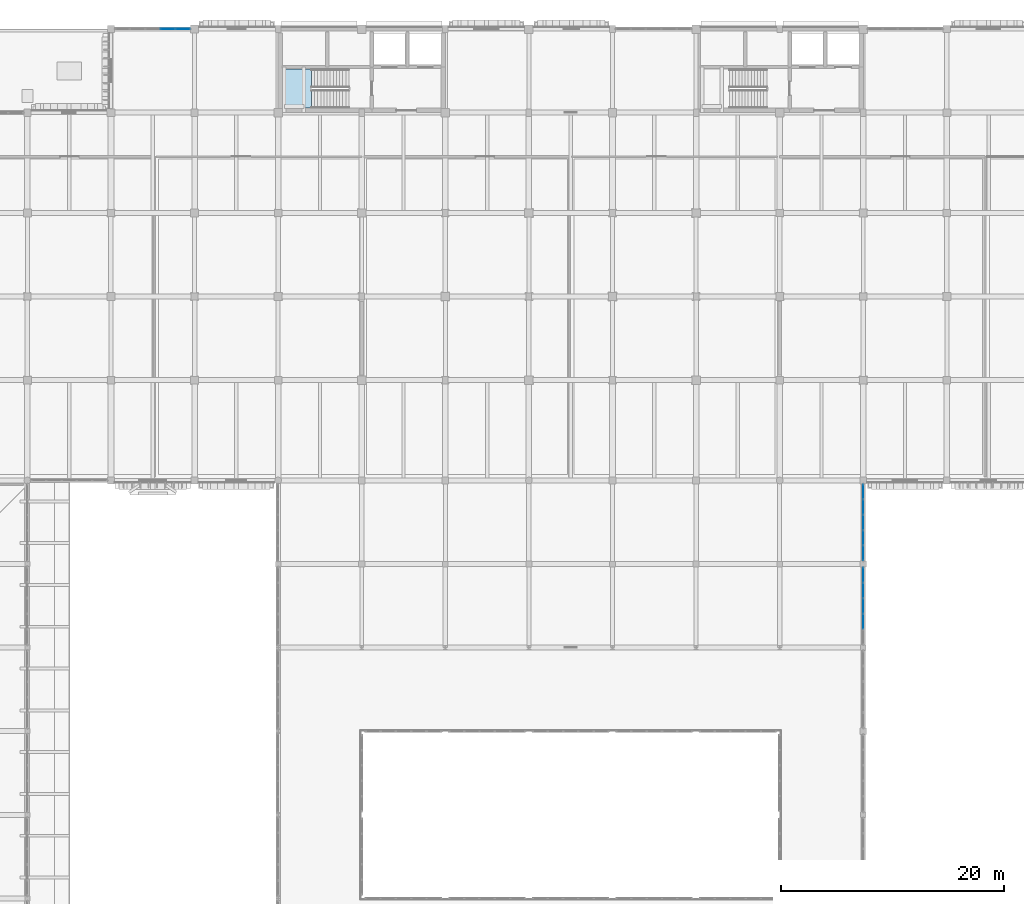
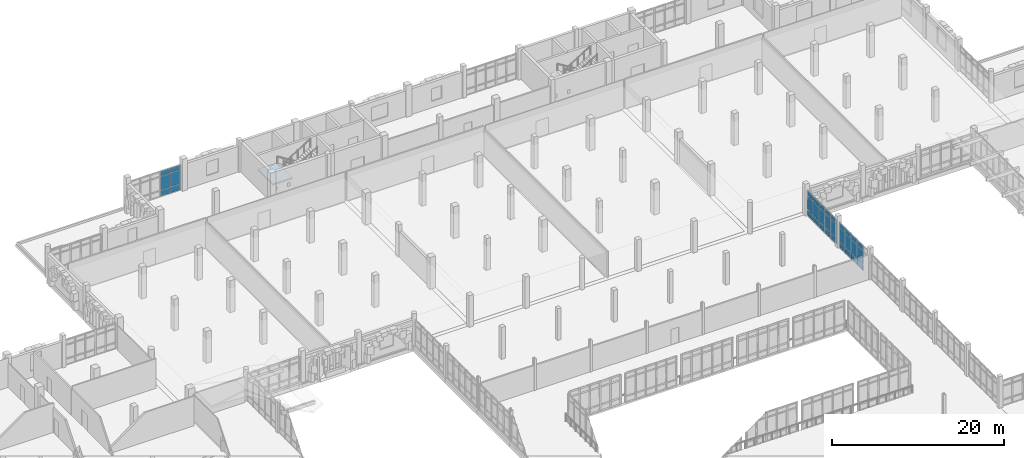
# One storey, part 84 of 128: 33 plates, 1 slab, 4 elements without a shape of their own.
"""IFC4 building model written with IfcOpenShell, lengths in metres."""

import ifcopenshell
import ifcopenshell.guid

model = None  # the IFC model being written
_history = None  # IfcOwnerHistory: only IFC2X3 demands one
_inside = {}  # id of a spatial element -> (the spatial element, [elements in it])
_under = {}  # id of a project, library or spatial element -> (it, [spatial elements below it])
_declared = {}  # id of a project -> (the project, [libraries it declares])
_typed = {}  # id of a type object -> (the type object, [elements of that type])
_made_of = {}  # id of a material, layer set ... -> (it, [elements and type objects made of it])


def new_model(schema):
    """Start an empty IFC model of exactly this schema.

    Asked for "IFC4X3", IfcOpenShell would pick the latest addendum, in which some entities
    have other attributes; the version numbers below select the first issue.
    IFC2X3 requires an IfcOwnerHistory on every rooted entity: one is made here for all.
    """
    global model, _history
    if schema == "IFC4X3":
        model = ifcopenshell.file(schema_version=(4, 3, 0, 0))
    else:
        model = ifcopenshell.file(schema=schema)
    _inside.clear()
    _under.clear()
    _declared.clear()
    _typed.clear()
    _made_of.clear()
    _history = None
    if model.schema == "IFC2X3":
        org = make("IfcOrganization", Name="unknown")
        user = make(
            "IfcPersonAndOrganization",
            ThePerson=make("IfcPerson", FamilyName="unknown"),
            TheOrganization=org,
        )
        app = make(
            "IfcApplication",
            ApplicationDeveloper=org,
            Version="unknown",
            ApplicationFullName="unknown",
            ApplicationIdentifier="unknown",
        )
        _history = make(
            "IfcOwnerHistory",
            OwningUser=user,
            OwningApplication=app,
            ChangeAction="ADDED",
            CreationDate=0,
        )
    return model


def make(cls, **values):
    """One entity of the class cls with the attributes given. An attribute that is None is left unset."""
    return model.create_entity(
        cls, **{name: value for name, value in values.items() if value is not None}
    )


def rooted(cls, **values):
    """An entity with a GlobalId (a new one), such as an element, a storey or a relation."""
    return make(cls, GlobalId=ifcopenshell.guid.new(), OwnerHistory=_history, **values)


def si_unit(unit_type, name, prefix=None):
    """IfcSIUnit, for example si_unit("LENGTHUNIT", "METRE", prefix="MILLI")."""
    return make("IfcSIUnit", UnitType=unit_type, Prefix=prefix, Name=name)


def assignment(units):
    """IfcUnitAssignment: the units of a project."""
    return None if units is None else make("IfcUnitAssignment", Units=units)


def point(xyz):
    """IfcCartesianPoint."""
    return None if xyz is None else make("IfcCartesianPoint", Coordinates=xyz)


def direction(xyz):
    """IfcDirection."""
    return None if xyz is None else make("IfcDirection", DirectionRatios=xyz)


def frame(location, z_axis=None, x_axis=None):
    """IfcAxis2Placement3D, a coordinate frame: its origin and axes. An axis left out is left unset."""
    return make(
        "IfcAxis2Placement3D",
        Location=point(location),
        Axis=direction(z_axis),
        RefDirection=direction(x_axis),
    )


def frame_2d(location, x_axis=None):
    """IfcAxis2Placement2D, a coordinate frame in the plane: its origin and x axis."""
    return make(
        "IfcAxis2Placement2D", Location=point(location), RefDirection=direction(x_axis)
    )


def origin():
    """The frame at (0, 0, 0) with its axes left unset."""
    return frame((0.0, 0.0, 0.0))


def origin_2d():
    """The frame at (0, 0) in the plane with its x axis left unset."""
    return frame_2d((0.0, 0.0))


def place(relative_to, where):
    """IfcLocalPlacement: puts the frame where relative to a parent placement (None: the world)."""
    return make(
        "IfcLocalPlacement", PlacementRelTo=relative_to, RelativePlacement=where
    )


def context(
    kind, dimensions, precision=None, world=None, true_north=None, identifier=None
):
    """IfcGeometricRepresentationContext, for example the 3D "Model" context."""
    return make(
        "IfcGeometricRepresentationContext",
        ContextIdentifier=identifier,
        ContextType=kind,
        CoordinateSpaceDimension=dimensions,
        Precision=precision,
        WorldCoordinateSystem=world,
        TrueNorth=true_north,
    )


def subcontext(parent, identifier, kind, view, scale=None):
    """IfcGeometricRepresentationSubContext, for example "Body" below "Model"."""
    return make(
        "IfcGeometricRepresentationSubContext",
        ContextIdentifier=identifier,
        ContextType=kind,
        ParentContext=parent,
        TargetScale=scale,
        TargetView=view,
    )


def project(units=None, contexts=None):
    """IfcProject with its units and contexts."""
    return rooted(
        "IfcProject",
        Name="project",
        RepresentationContexts=contexts,
        UnitsInContext=assignment(units),
    )


def spatial(cls, under=None, at=None, **own):
    """A site, building, storey or space (cls), placed at a placement, below another one or the project."""
    s = rooted(cls, ObjectPlacement=at, **own)
    if under is not None:
        _under.setdefault(under.id(), (under, []))[1].append(s)
    return s


def polyline(points):
    """IfcPolyline through the points."""
    return make("IfcPolyline", Points=[point(p) for p in points])


def profile(cls, at=None, kind="AREA", **sizes):
    """A parametric profile (cls). Its sizes go by their IFC names, for example OverallWidth=200.0."""
    return make(cls, ProfileType=kind, Position=at, **sizes)


def rectangle(**sizes):
    """IfcRectangleProfileDef."""
    return profile("IfcRectangleProfileDef", **sizes)


def outline(outer, holes=None, kind="AREA"):
    """IfcArbitraryClosedProfileDef: a profile drawn as a closed curve; with holes, ...WithVoids."""
    if holes is None:
        return make("IfcArbitraryClosedProfileDef", ProfileType=kind, OuterCurve=outer)
    return make(
        "IfcArbitraryProfileDefWithVoids",
        ProfileType=kind,
        OuterCurve=outer,
        InnerCurves=holes,
    )


def extrude(swept, where, along, depth):
    """IfcExtrudedAreaSolid: the profile swept, set in the frame where, extruded along a direction by depth."""
    return make(
        "IfcExtrudedAreaSolid",
        SweptArea=swept,
        Position=where,
        ExtrudedDirection=direction(along),
        Depth=depth,
    )


def shape(context_of_items, identifier, shape_type, items):
    """IfcShapeRepresentation: the items that make up one representation, for example the "Body"."""
    return make(
        "IfcShapeRepresentation",
        ContextOfItems=context_of_items,
        RepresentationIdentifier=identifier,
        RepresentationType=shape_type,
        Items=items,
    )


def material(Name=None, Category=None):
    """IfcMaterial."""
    return make("IfcMaterial", Name=Name, Category=Category)


def layer(
    of_material, thickness, ventilated=None, Name=None, Category=None, Priority=None
):
    """IfcMaterialLayer: one layer of a wall or slab, of a material (None: an air gap)."""
    return make(
        "IfcMaterialLayer",
        Material=of_material,
        LayerThickness=thickness,
        IsVentilated=ventilated,
        Name=Name,
        Category=Category,
        Priority=Priority,
    )


def layer_set(layers, Name=None):
    """IfcMaterialLayerSet."""
    return make("IfcMaterialLayerSet", MaterialLayers=layers, LayerSetName=Name)


def made_of(thing, what):
    """Note that an element or type object is made of a material, layer set ...; save() writes the relation."""
    if what is not None:
        _made_of.setdefault(what.id(), (what, []))[1].append(thing)
    return thing


def type_object(cls, material=None, **own):
    """A type object (cls), such as IfcWallType, which elements share."""
    return made_of(rooted(cls, **own), material)


def element(
    cls,
    number,
    at=None,
    inside=None,
    cuts=None,
    type_object=None,
    material=None,
    context=None,
    identifier="Body",
    shape_type=None,
    held_by="IfcProductDefinitionShape",
    body=None,
    shapes=None,
    **own,
):
    """One element of the class cls, such as IfcWall. Its Tag is "e" and its number.

    at: its placement. inside: the storey or other place that contains it. cuts: it is an
    opening in that element (IfcRelVoidsElement). A single representation is given by context,
    identifier, shape_type and body (its items); several are given by shapes. held_by: the class
    of the entity that holds the representations. save() writes the other relations.
    """
    e = rooted(cls, Tag="e%d" % number, ObjectPlacement=at, **own)
    if body is not None:
        shapes = [shape(context, identifier, shape_type, body)]
    if shapes is not None:
        e.Representation = make(held_by, Representations=shapes)
    if inside is not None:
        _inside.setdefault(inside.id(), (inside, []))[1].append(e)
    if cuts is not None:
        rooted(
            "IfcRelVoidsElement", RelatingBuildingElement=cuts, RelatedOpeningElement=e
        )
    if type_object is not None:
        _typed.setdefault(type_object.id(), (type_object, []))[1].append(e)
    return made_of(e, material)


def aggregate(whole, parts):
    """IfcRelAggregates: a whole, such as a stair, and the parts it consists of."""
    return rooted("IfcRelAggregates", RelatingObject=whole, RelatedObjects=parts)


def save(model, path):
    """Write the relations noted so far, then the file.

    IfcRelAggregates (storeys below a building ...), IfcRelContainedInSpatialStructure (elements
    in a storey), IfcRelDefinesByType, IfcRelAssociatesMaterial and IfcRelDeclares: one each for
    every whole, place, type object, material and project.
    """
    for whole, parts in _under.values():
        aggregate(whole, parts)
    for where, things in _inside.values():
        rooted(
            "IfcRelContainedInSpatialStructure",
            RelatedElements=things,
            RelatingStructure=where,
        )
    for kind, things in _typed.values():
        rooted("IfcRelDefinesByType", RelatedObjects=things, RelatingType=kind)
    for what, things in _made_of.values():
        rooted("IfcRelAssociatesMaterial", RelatedObjects=things, RelatingMaterial=what)
    for by, libraries in _declared.values():
        rooted("IfcRelDeclares", RelatingContext=by, RelatedDefinitions=libraries)
    model.write(path)


model = new_model("IFC4")

# Units and contexts
model_context = context("Model", 3, precision=1e-05, world=origin(), true_north=direction((0.0, 1.0)))
body_context = subcontext(model_context, "Body", "Model", "MODEL_VIEW")
ifc_project = project(units=[si_unit("LENGTHUNIT", "METRE"), si_unit("AREAUNIT", "SQUARE_METRE"), si_unit("VOLUMEUNIT", "CUBIC_METRE"), si_unit("PLANEANGLEUNIT", "RADIAN"), si_unit("MASSUNIT", "GRAM", prefix="KILO")], contexts=[model_context])

# Site, building, storey
site_placement = place(None, origin())
site = spatial("IfcSite", under=ifc_project, at=site_placement, CompositionType="ELEMENT")
building_placement = place(site_placement, origin())
building = spatial("IfcBuilding", under=site, at=building_placement, Name="Dalvernix Boulevard General Hospital", CompositionType="ELEMENT")
storey_placement = place(building_placement, frame((0.0, 0.0, 4.800048828125)))
storey = spatial("IfcBuildingStorey", under=building, at=storey_placement, Name="L01", CompositionType="ELEMENT", Elevation=4.800048828125)

# Curtain wall, plates
ifc_material_1 = material(Name="Thermally broken aluminium and solar-control glass curtain wall", Category="aluminium")
ifc_layer_1 = layer(ifc_material_1, 0.159912109375)
ifc_layer_set_1 = layer_set([ifc_layer_1], Name="Thermally broken aluminium and solar-control glass curtain wall (CW-CW-A-70x36)")
curtain_wall_type_1 = type_object("IfcCurtainWallType", Name="CW-CW-A-70x36", PredefinedType="USERDEFINED", material=ifc_layer_set_1)
curtain_wall_1_placement = place(storey_placement, origin())
curtain_wall_1 = element("IfcCurtainWall", 1, at=curtain_wall_1_placement, inside=storey, type_object=curtain_wall_type_1, Name="L01 curtain wall CW-A-70x36 15-8", ObjectType="GLAZED FACADE", PredefinedType="USERDEFINED")
ifc_material_2 = material(Name="Double-glazed solar-control low-emissivity glass", Category="glass")
ifc_layer_2 = layer(ifc_material_2, 0.02392578125)
ifc_layer_set_2 = layer_set([ifc_layer_2], Name="Double-glazed solar-control low-emissivity glass (PLT-CW-P1)")
plate_type_1 = type_object("IfcPlateType", Name="PLT-CW-P1", PredefinedType="CURTAIN_PANEL", material=ifc_layer_set_2)
plate_1_placement = place(storey_placement, frame((112.5, 68.00439453125, 0.059814453125), z_axis=(0.0, 0.0, 1.0), x_axis=(0.0, -1.0, 0.0)))
plate_1 = element("IfcPlate", 2, at=plate_1_placement, type_object=plate_type_1, Name="CW-A-70x36 panel 1.1", PredefinedType="CURTAIN_PANEL", context=body_context, shape_type="SweptSolid", body=[
    extrude(rectangle(XDim=1.301025390625, YDim=0.02392578125, at=origin_2d()), origin(), (0.0, 0.0, 1.0), 0.81005859375),
])
plate_2_placement = place(storey_placement, frame((112.5, 68.00439453125, 0.929931640625), z_axis=(0.0, 0.0, 1.0), x_axis=(0.0, -1.0, 0.0)))
plate_2 = element("IfcPlate", 3, at=plate_2_placement, type_object=plate_type_1, Name="CW-A-70x36 panel 1.2", PredefinedType="CURTAIN_PANEL", context=body_context, shape_type="SweptSolid", body=[
    extrude(rectangle(XDim=1.301025390625, YDim=0.02392578125, at=origin_2d()), origin(), (0.0, 0.0, 1.0), 1.919921875),
])
plate_3_placement = place(storey_placement, frame((112.5, 68.00439453125, 2.91015625), z_axis=(0.0, 0.0, 1.0), x_axis=(0.0, -1.0, 0.0)))
plate_3 = element("IfcPlate", 4, at=plate_3_placement, type_object=plate_type_1, Name="CW-A-70x36 panel 1.3", PredefinedType="CURTAIN_PANEL", context=body_context, shape_type="SweptSolid", body=[
    extrude(rectangle(XDim=1.301025390625, YDim=0.02392578125, at=origin_2d()), origin(), (0.0, 0.0, 1.0), 0.659912109375),
])
plate_4_placement = place(storey_placement, frame((112.5, 66.62841796875, 0.059814453125), z_axis=(0.0, 0.0, 1.0), x_axis=(0.0, -1.0, 0.0)))
plate_4 = element("IfcPlate", 5, at=plate_4_placement, type_object=plate_type_1, Name="CW-A-70x36 panel 2.1", PredefinedType="CURTAIN_PANEL", context=body_context, shape_type="SweptSolid", body=[
    extrude(rectangle(XDim=1.3310546875, YDim=0.02392578125, at=origin_2d()), origin(), (0.0, 0.0, 1.0), 0.81005859375),
])
plate_5_placement = place(storey_placement, frame((112.5, 66.62841796875, 0.929931640625), z_axis=(0.0, 0.0, 1.0), x_axis=(0.0, -1.0, 0.0)))
plate_5 = element("IfcPlate", 6, at=plate_5_placement, type_object=plate_type_1, Name="CW-A-70x36 panel 2.2", PredefinedType="CURTAIN_PANEL", context=body_context, shape_type="SweptSolid", body=[
    extrude(rectangle(XDim=1.3310546875, YDim=0.02392578125, at=origin_2d()), origin(), (0.0, 0.0, 1.0), 1.919921875),
])
plate_6_placement = place(storey_placement, frame((112.5, 66.62841796875, 2.91015625), z_axis=(0.0, 0.0, 1.0), x_axis=(0.0, -1.0, 0.0)))
plate_6 = element("IfcPlate", 7, at=plate_6_placement, type_object=plate_type_1, Name="CW-A-70x36 panel 2.3", PredefinedType="CURTAIN_PANEL", context=body_context, shape_type="SweptSolid", body=[
    extrude(rectangle(XDim=1.3310546875, YDim=0.02392578125, at=origin_2d()), origin(), (0.0, 0.0, 1.0), 0.659912109375),
])
plate_7_placement = place(storey_placement, frame((112.5, 65.237548828125, 0.059814453125), z_axis=(0.0, 0.0, 1.0), x_axis=(0.0, -1.0, 0.0)))
plate_7 = element("IfcPlate", 8, at=plate_7_placement, type_object=plate_type_1, Name="CW-A-70x36 panel 3.1", PredefinedType="CURTAIN_PANEL", context=body_context, shape_type="SweptSolid", body=[
    extrude(rectangle(XDim=1.3310546875, YDim=0.02392578125, at=origin_2d()), origin(), (0.0, 0.0, 1.0), 0.81005859375),
])
plate_8_placement = place(storey_placement, frame((112.5, 65.237548828125, 0.929931640625), z_axis=(0.0, 0.0, 1.0), x_axis=(0.0, -1.0, 0.0)))
plate_8 = element("IfcPlate", 9, at=plate_8_placement, type_object=plate_type_1, Name="CW-A-70x36 panel 3.2", PredefinedType="CURTAIN_PANEL", context=body_context, shape_type="SweptSolid", body=[
    extrude(rectangle(XDim=1.3310546875, YDim=0.02392578125, at=origin_2d()), origin(), (0.0, 0.0, 1.0), 1.919921875),
])
plate_9_placement = place(storey_placement, frame((112.5, 65.237548828125, 2.91015625), z_axis=(0.0, 0.0, 1.0), x_axis=(0.0, -1.0, 0.0)))
plate_9 = element("IfcPlate", 10, at=plate_9_placement, type_object=plate_type_1, Name="CW-A-70x36 panel 3.3", PredefinedType="CURTAIN_PANEL", context=body_context, shape_type="SweptSolid", body=[
    extrude(rectangle(XDim=1.3310546875, YDim=0.02392578125, at=origin_2d()), origin(), (0.0, 0.0, 1.0), 0.659912109375),
])
plate_10_placement = place(storey_placement, frame((112.5, 63.846435546875, 0.059814453125), z_axis=(0.0, 0.0, 1.0), x_axis=(0.0, -1.0, 0.0)))
plate_10 = element("IfcPlate", 11, at=plate_10_placement, type_object=plate_type_1, Name="CW-A-70x36 panel 4.1", PredefinedType="CURTAIN_PANEL", context=body_context, shape_type="SweptSolid", body=[
    extrude(rectangle(XDim=1.3310546875, YDim=0.02392578125, at=origin_2d()), origin(), (0.0, 0.0, 1.0), 0.81005859375),
])
plate_11_placement = place(storey_placement, frame((112.5, 63.846435546875, 0.929931640625), z_axis=(0.0, 0.0, 1.0), x_axis=(0.0, -1.0, 0.0)))
plate_11 = element("IfcPlate", 12, at=plate_11_placement, type_object=plate_type_1, Name="CW-A-70x36 panel 4.2", PredefinedType="CURTAIN_PANEL", context=body_context, shape_type="SweptSolid", body=[
    extrude(rectangle(XDim=1.3310546875, YDim=0.02392578125, at=origin_2d()), origin(), (0.0, 0.0, 1.0), 1.919921875),
])
plate_12_placement = place(storey_placement, frame((112.5, 63.846435546875, 2.91015625), z_axis=(0.0, 0.0, 1.0), x_axis=(0.0, -1.0, 0.0)))
plate_12 = element("IfcPlate", 13, at=plate_12_placement, type_object=plate_type_1, Name="CW-A-70x36 panel 4.3", PredefinedType="CURTAIN_PANEL", context=body_context, shape_type="SweptSolid", body=[
    extrude(rectangle(XDim=1.3310546875, YDim=0.02392578125, at=origin_2d()), origin(), (0.0, 0.0, 1.0), 0.659912109375),
])
aggregate(curtain_wall_1, [plate_1, plate_2, plate_3, plate_4, plate_5, plate_6, plate_7, plate_8, plate_9, plate_10, plate_11, plate_12])

ifc_layer_3 = layer(ifc_material_1, 0.179931640625)
ifc_layer_set_3 = layer_set([ifc_layer_3], Name="Thermally broken aluminium and solar-control glass curtain wall (CW-CW-B-68x36)")
curtain_wall_type_2 = type_object("IfcCurtainWallType", Name="CW-CW-B-68x36", PredefinedType="USERDEFINED", material=ifc_layer_set_3)
curtain_wall_2_placement = place(storey_placement, origin())
curtain_wall_2 = element("IfcCurtainWall", 14, at=curtain_wall_2_placement, inside=storey, type_object=curtain_wall_type_2, Name="L01 curtain wall CW-B-68x36 6-15", ObjectType="GLAZED FACADE", PredefinedType="USERDEFINED")
ifc_layer_4 = layer(ifc_material_2, 0.028076171875)
ifc_layer_set_4 = layer_set([ifc_layer_4], Name="Double-glazed solar-control low-emissivity glass (PLT-CW-P2)")
plate_type_2 = type_object("IfcPlateType", Name="PLT-CW-P2", PredefinedType="CURTAIN_PANEL", material=ifc_layer_set_4)
plate_13_placement = place(storey_placement, frame((50.098388671875, 117.0, 0.06494140625), z_axis=(0.0, 0.0, 1.0), x_axis=(1.0, 0.0, 0.0)))
plate_13 = element("IfcPlate", 15, at=plate_13_placement, type_object=plate_type_2, Name="CW-B-68x36 panel 4.1", PredefinedType="CURTAIN_PANEL", context=body_context, shape_type="SweptSolid", body=[
    extrude(rectangle(XDim=1.2958984375, YDim=0.028076171875, at=origin_2d()), origin(), (0.0, 0.0, 1.0), 0.802490234375),
])
plate_14_placement = place(storey_placement, frame((50.098388671875, 117.0, 0.932373046875), z_axis=(0.0, 0.0, 1.0), x_axis=(1.0, 0.0, 0.0)))
plate_14 = element("IfcPlate", 16, at=plate_14_placement, type_object=plate_type_2, Name="CW-B-68x36 panel 4.2", PredefinedType="CURTAIN_PANEL", context=body_context, shape_type="SweptSolid", body=[
    extrude(rectangle(XDim=1.2958984375, YDim=0.028076171875, at=origin_2d()), origin(), (0.0, 0.0, 1.0), 1.9150390625),
])
plate_15_placement = place(storey_placement, frame((50.098388671875, 117.0, 2.91259765625), z_axis=(0.0, 0.0, 1.0), x_axis=(1.0, 0.0, 0.0)))
plate_15 = element("IfcPlate", 17, at=plate_15_placement, type_object=plate_type_2, Name="CW-B-68x36 panel 4.3", PredefinedType="CURTAIN_PANEL", context=body_context, shape_type="SweptSolid", body=[
    extrude(rectangle(XDim=1.2958984375, YDim=0.028076171875, at=origin_2d()), origin(), (0.0, 0.0, 1.0), 0.652587890625),
])
plate_16_placement = place(storey_placement, frame((51.443359375, 117.0, 0.06494140625), z_axis=(0.0, 0.0, 1.0), x_axis=(1.0, 0.0, 0.0)))
plate_16 = element("IfcPlate", 18, at=plate_16_placement, type_object=plate_type_2, Name="CW-B-68x36 panel 5.1", PredefinedType="CURTAIN_PANEL", context=body_context, shape_type="SweptSolid", body=[
    extrude(rectangle(XDim=1.263427734375, YDim=0.028076171875, at=origin_2d()), origin(), (0.0, 0.0, 1.0), 0.802490234375),
])
plate_17_placement = place(storey_placement, frame((51.443359375, 117.0, 0.932373046875), z_axis=(0.0, 0.0, 1.0), x_axis=(1.0, 0.0, 0.0)))
plate_17 = element("IfcPlate", 19, at=plate_17_placement, type_object=plate_type_2, Name="CW-B-68x36 panel 5.2", PredefinedType="CURTAIN_PANEL", context=body_context, shape_type="SweptSolid", body=[
    extrude(rectangle(XDim=1.263427734375, YDim=0.028076171875, at=origin_2d()), origin(), (0.0, 0.0, 1.0), 1.9150390625),
])
plate_18_placement = place(storey_placement, frame((51.443359375, 117.0, 2.91259765625), z_axis=(0.0, 0.0, 1.0), x_axis=(1.0, 0.0, 0.0)))
plate_18 = element("IfcPlate", 20, at=plate_18_placement, type_object=plate_type_2, Name="CW-B-68x36 panel 5.3", PredefinedType="CURTAIN_PANEL", context=body_context, shape_type="SweptSolid", body=[
    extrude(rectangle(XDim=1.263427734375, YDim=0.028076171875, at=origin_2d()), origin(), (0.0, 0.0, 1.0), 0.652587890625),
])
aggregate(curtain_wall_2, [plate_13, plate_14, plate_15, plate_16, plate_17, plate_18])

ifc_layer_5 = layer(ifc_material_1, 0.179931640625)
ifc_layer_set_5 = layer_set([ifc_layer_5], Name="Thermally broken aluminium and solar-control glass curtain wall (CW-CW-B-69x36)")
curtain_wall_type_3 = type_object("IfcCurtainWallType", Name="CW-CW-B-69x36", PredefinedType="USERDEFINED", material=ifc_layer_set_5)
curtain_wall_3_placement = place(storey_placement, origin())
curtain_wall_3 = element("IfcCurtainWall", 21, at=curtain_wall_3_placement, inside=storey, type_object=curtain_wall_type_3, Name="L01 curtain wall CW-B-69x36 15-9", ObjectType="GLAZED FACADE", PredefinedType="USERDEFINED")
plate_19_placement = place(storey_placement, frame((112.5, 75.483154296875, 0.06494140625), z_axis=(0.0, 0.0, 1.0), x_axis=(0.0, -1.0, 0.0)))
plate_19 = element("IfcPlate", 22, at=plate_19_placement, type_object=plate_type_2, Name="CW-B-69x36 panel 1.1", PredefinedType="CURTAIN_PANEL", context=body_context, shape_type="SweptSolid", body=[
    extrude(rectangle(XDim=1.283447265625, YDim=0.028076171875, at=origin_2d()), origin(), (0.0, 0.0, 1.0), 0.802490234375),
])
plate_20_placement = place(storey_placement, frame((112.5, 75.483154296875, 0.932373046875), z_axis=(0.0, 0.0, 1.0), x_axis=(0.0, -1.0, 0.0)))
plate_20 = element("IfcPlate", 23, at=plate_20_placement, type_object=plate_type_2, Name="CW-B-69x36 panel 1.2", PredefinedType="CURTAIN_PANEL", context=body_context, shape_type="SweptSolid", body=[
    extrude(rectangle(XDim=1.283447265625, YDim=0.028076171875, at=origin_2d()), origin(), (0.0, 0.0, 1.0), 1.9150390625),
])
plate_21_placement = place(storey_placement, frame((112.5, 75.483154296875, 2.91259765625), z_axis=(0.0, 0.0, 1.0), x_axis=(0.0, -1.0, 0.0)))
plate_21 = element("IfcPlate", 24, at=plate_21_placement, type_object=plate_type_2, Name="CW-B-69x36 panel 1.3", PredefinedType="CURTAIN_PANEL", context=body_context, shape_type="SweptSolid", body=[
    extrude(rectangle(XDim=1.283447265625, YDim=0.028076171875, at=origin_2d()), origin(), (0.0, 0.0, 1.0), 0.652587890625),
])
plate_22_placement = place(storey_placement, frame((112.5, 74.118408203125, 0.06494140625), z_axis=(0.0, 0.0, 1.0), x_axis=(0.0, -1.0, 0.0)))
plate_22 = element("IfcPlate", 25, at=plate_22_placement, type_object=plate_type_2, Name="CW-B-69x36 panel 2.1", PredefinedType="CURTAIN_PANEL", context=body_context, shape_type="SweptSolid", body=[
    extrude(rectangle(XDim=1.31591796875, YDim=0.028076171875, at=origin_2d()), origin(), (0.0, 0.0, 1.0), 0.802490234375),
])
plate_23_placement = place(storey_placement, frame((112.5, 74.118408203125, 0.932373046875), z_axis=(0.0, 0.0, 1.0), x_axis=(0.0, -1.0, 0.0)))
plate_23 = element("IfcPlate", 26, at=plate_23_placement, type_object=plate_type_2, Name="CW-B-69x36 panel 2.2", PredefinedType="CURTAIN_PANEL", context=body_context, shape_type="SweptSolid", body=[
    extrude(rectangle(XDim=1.31591796875, YDim=0.028076171875, at=origin_2d()), origin(), (0.0, 0.0, 1.0), 1.9150390625),
])
plate_24_placement = place(storey_placement, frame((112.5, 74.118408203125, 2.91259765625), z_axis=(0.0, 0.0, 1.0), x_axis=(0.0, -1.0, 0.0)))
plate_24 = element("IfcPlate", 27, at=plate_24_placement, type_object=plate_type_2, Name="CW-B-69x36 panel 2.3", PredefinedType="CURTAIN_PANEL", context=body_context, shape_type="SweptSolid", body=[
    extrude(rectangle(XDim=1.31591796875, YDim=0.028076171875, at=origin_2d()), origin(), (0.0, 0.0, 1.0), 0.652587890625),
])
plate_25_placement = place(storey_placement, frame((112.5, 72.737548828125, 0.06494140625), z_axis=(0.0, 0.0, 1.0), x_axis=(0.0, -1.0, 0.0)))
plate_25 = element("IfcPlate", 28, at=plate_25_placement, type_object=plate_type_2, Name="CW-B-69x36 panel 3.1", PredefinedType="CURTAIN_PANEL", context=body_context, shape_type="SweptSolid", body=[
    extrude(rectangle(XDim=1.31591796875, YDim=0.028076171875, at=origin_2d()), origin(), (0.0, 0.0, 1.0), 0.802490234375),
])
plate_26_placement = place(storey_placement, frame((112.5, 72.737548828125, 0.932373046875), z_axis=(0.0, 0.0, 1.0), x_axis=(0.0, -1.0, 0.0)))
plate_26 = element("IfcPlate", 29, at=plate_26_placement, type_object=plate_type_2, Name="CW-B-69x36 panel 3.2", PredefinedType="CURTAIN_PANEL", context=body_context, shape_type="SweptSolid", body=[
    extrude(rectangle(XDim=1.31591796875, YDim=0.028076171875, at=origin_2d()), origin(), (0.0, 0.0, 1.0), 1.9150390625),
])
plate_27_placement = place(storey_placement, frame((112.5, 72.737548828125, 2.91259765625), z_axis=(0.0, 0.0, 1.0), x_axis=(0.0, -1.0, 0.0)))
plate_27 = element("IfcPlate", 30, at=plate_27_placement, type_object=plate_type_2, Name="CW-B-69x36 panel 3.3", PredefinedType="CURTAIN_PANEL", context=body_context, shape_type="SweptSolid", body=[
    extrude(rectangle(XDim=1.31591796875, YDim=0.028076171875, at=origin_2d()), origin(), (0.0, 0.0, 1.0), 0.652587890625),
])
plate_28_placement = place(storey_placement, frame((112.5, 71.3564453125, 0.06494140625), z_axis=(0.0, 0.0, 1.0), x_axis=(0.0, -1.0, 0.0)))
plate_28 = element("IfcPlate", 31, at=plate_28_placement, type_object=plate_type_2, Name="CW-B-69x36 panel 4.1", PredefinedType="CURTAIN_PANEL", context=body_context, shape_type="SweptSolid", body=[
    extrude(rectangle(XDim=1.31591796875, YDim=0.028076171875, at=origin_2d()), origin(), (0.0, 0.0, 1.0), 0.802490234375),
])
plate_29_placement = place(storey_placement, frame((112.5, 71.3564453125, 0.932373046875), z_axis=(0.0, 0.0, 1.0), x_axis=(0.0, -1.0, 0.0)))
plate_29 = element("IfcPlate", 32, at=plate_29_placement, type_object=plate_type_2, Name="CW-B-69x36 panel 4.2", PredefinedType="CURTAIN_PANEL", context=body_context, shape_type="SweptSolid", body=[
    extrude(rectangle(XDim=1.31591796875, YDim=0.028076171875, at=origin_2d()), origin(), (0.0, 0.0, 1.0), 1.9150390625),
])
plate_30_placement = place(storey_placement, frame((112.5, 71.3564453125, 2.91259765625), z_axis=(0.0, 0.0, 1.0), x_axis=(0.0, -1.0, 0.0)))
plate_30 = element("IfcPlate", 33, at=plate_30_placement, type_object=plate_type_2, Name="CW-B-69x36 panel 4.3", PredefinedType="CURTAIN_PANEL", context=body_context, shape_type="SweptSolid", body=[
    extrude(rectangle(XDim=1.31591796875, YDim=0.028076171875, at=origin_2d()), origin(), (0.0, 0.0, 1.0), 0.652587890625),
])
plate_31_placement = place(storey_placement, frame((112.5, 69.99169921875, 0.06494140625), z_axis=(0.0, 0.0, 1.0), x_axis=(0.0, -1.0, 0.0)))
plate_31 = element("IfcPlate", 34, at=plate_31_placement, type_object=plate_type_2, Name="CW-B-69x36 panel 5.1", PredefinedType="CURTAIN_PANEL", context=body_context, shape_type="SweptSolid", body=[
    extrude(rectangle(XDim=1.283447265625, YDim=0.028076171875, at=origin_2d()), origin(), (0.0, 0.0, 1.0), 0.802490234375),
])
plate_32_placement = place(storey_placement, frame((112.5, 69.99169921875, 0.932373046875), z_axis=(0.0, 0.0, 1.0), x_axis=(0.0, -1.0, 0.0)))
plate_32 = element("IfcPlate", 35, at=plate_32_placement, type_object=plate_type_2, Name="CW-B-69x36 panel 5.2", PredefinedType="CURTAIN_PANEL", context=body_context, shape_type="SweptSolid", body=[
    extrude(rectangle(XDim=1.283447265625, YDim=0.028076171875, at=origin_2d()), origin(), (0.0, 0.0, 1.0), 1.9150390625),
])
plate_33_placement = place(storey_placement, frame((112.5, 69.99169921875, 2.91259765625), z_axis=(0.0, 0.0, 1.0), x_axis=(0.0, -1.0, 0.0)))
plate_33 = element("IfcPlate", 36, at=plate_33_placement, type_object=plate_type_2, Name="CW-B-69x36 panel 5.3", PredefinedType="CURTAIN_PANEL", context=body_context, shape_type="SweptSolid", body=[
    extrude(rectangle(XDim=1.283447265625, YDim=0.028076171875, at=origin_2d()), origin(), (0.0, 0.0, 1.0), 0.652587890625),
])
aggregate(curtain_wall_3, [plate_19, plate_20, plate_21, plate_22, plate_23, plate_24, plate_25, plate_26, plate_27, plate_28, plate_29, plate_30, plate_31, plate_32, plate_33])

# Stair, slab
ifc_material_3 = material(Name="Precast concrete C40/50", Category="concrete")
stair_type = type_object("IfcStairType", Name="IFCSTAIR-STC-165x450", PredefinedType="HALF_TURN_STAIR", material=ifc_material_3)
stair_placement = place(storey_placement, origin())
stair = element("IfcStair", 37, at=stair_placement, inside=storey, type_object=stair_type, Name="L01 Core C3 Exit Stair ST-03", PredefinedType="HALF_TURN_STAIR")
ifc_layer_6 = layer(ifc_material_3, 0.199951171875)
ifc_layer_set_6 = layer_set([ifc_layer_6], Name="Precast concrete C40/50 (SLB-LND-01)")
slab_type = type_object("IfcSlabType", Name="SLB-LND-01", PredefinedType="LANDING", material=ifc_layer_set_6)
slab_placement = place(storey_placement, frame((0.0, 0.0, 2.050048828125)))
slab = element("IfcSlab", 38, at=slab_placement, type_object=slab_type, Name="ST-03 landing 1", PredefinedType="LANDING", context=body_context, shape_type="SweptSolid", body=[
    extrude(outline(polyline([(62.989990234375, 113.39990234375), (60.39990234375, 113.39990234375), (60.39990234375, 109.89990234375), (62.989990234375, 109.89990234375), (62.989990234375, 113.39990234375)])), origin(), (0.0, 0.0, 1.0), 0.199951171875),
])
aggregate(stair, [slab])

save(model, "model.ifc")
